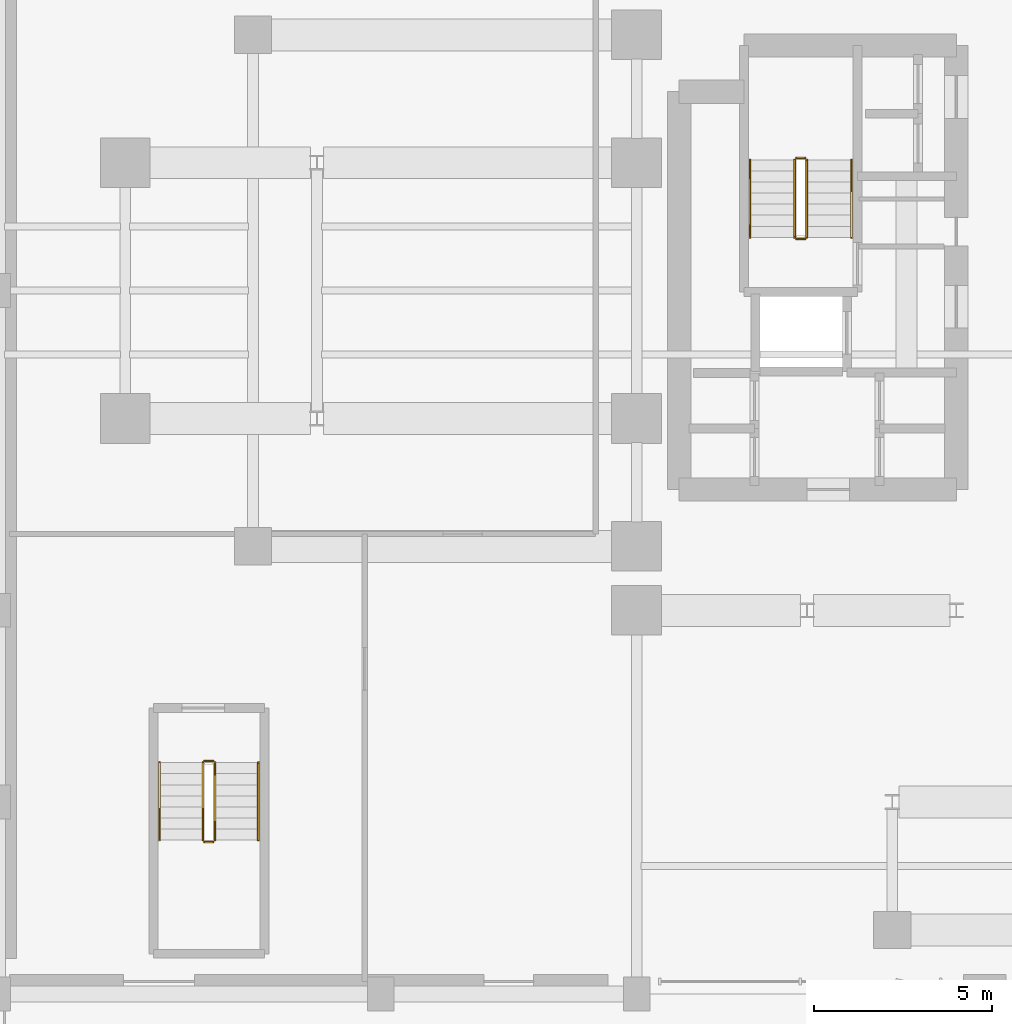
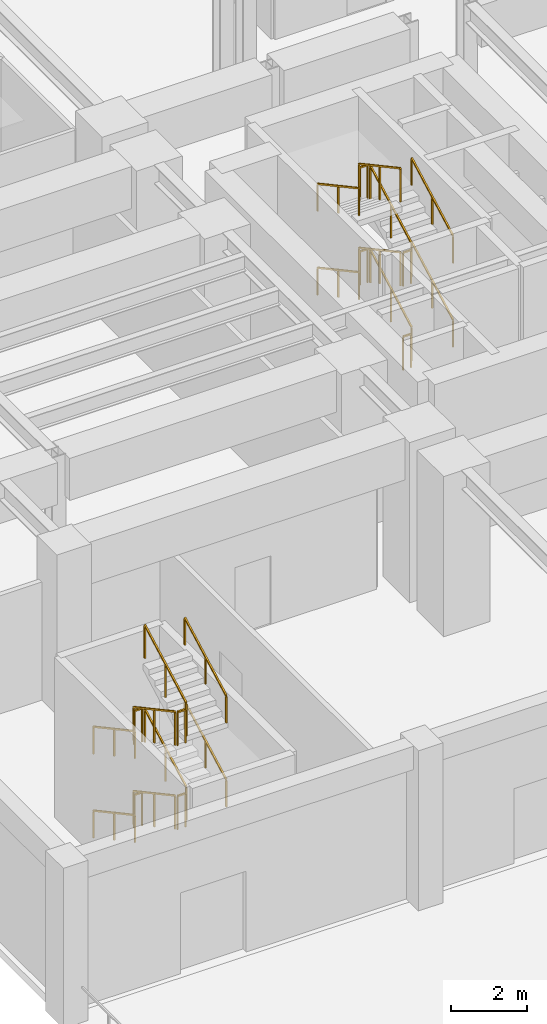
# One storey, part 14 of 17: 24 railings.
"""IFC4 building model written with IfcOpenShell, lengths in metres."""

import ifcopenshell
import ifcopenshell.guid

model = None  # the IFC model being written
_history = None  # IfcOwnerHistory: only IFC2X3 demands one
_inside = {}  # id of a spatial element -> (the spatial element, [elements in it])
_under = {}  # id of a project, library or spatial element -> (it, [spatial elements below it])
_declared = {}  # id of a project -> (the project, [libraries it declares])
_typed = {}  # id of a type object -> (the type object, [elements of that type])
_made_of = {}  # id of a material, layer set ... -> (it, [elements and type objects made of it])


def new_model(schema):
    """Start an empty IFC model of exactly this schema.

    Asked for "IFC4X3", IfcOpenShell would pick the latest addendum, in which some entities
    have other attributes; the version numbers below select the first issue.
    IFC2X3 requires an IfcOwnerHistory on every rooted entity: one is made here for all.
    """
    global model, _history
    if schema == "IFC4X3":
        model = ifcopenshell.file(schema_version=(4, 3, 0, 0))
    else:
        model = ifcopenshell.file(schema=schema)
    _inside.clear()
    _under.clear()
    _declared.clear()
    _typed.clear()
    _made_of.clear()
    _history = None
    if model.schema == "IFC2X3":
        org = make("IfcOrganization", Name="unknown")
        user = make(
            "IfcPersonAndOrganization",
            ThePerson=make("IfcPerson", FamilyName="unknown"),
            TheOrganization=org,
        )
        app = make(
            "IfcApplication",
            ApplicationDeveloper=org,
            Version="unknown",
            ApplicationFullName="unknown",
            ApplicationIdentifier="unknown",
        )
        _history = make(
            "IfcOwnerHistory",
            OwningUser=user,
            OwningApplication=app,
            ChangeAction="ADDED",
            CreationDate=0,
        )
    return model


def make(cls, **values):
    """One entity of the class cls with the attributes given. An attribute that is None is left unset."""
    return model.create_entity(
        cls, **{name: value for name, value in values.items() if value is not None}
    )


def rooted(cls, **values):
    """An entity with a GlobalId (a new one), such as an element, a storey or a relation."""
    return make(cls, GlobalId=ifcopenshell.guid.new(), OwnerHistory=_history, **values)


def si_unit(unit_type, name, prefix=None):
    """IfcSIUnit, for example si_unit("LENGTHUNIT", "METRE", prefix="MILLI")."""
    return make("IfcSIUnit", UnitType=unit_type, Prefix=prefix, Name=name)


def assignment(units):
    """IfcUnitAssignment: the units of a project."""
    return None if units is None else make("IfcUnitAssignment", Units=units)


def point(xyz):
    """IfcCartesianPoint."""
    return None if xyz is None else make("IfcCartesianPoint", Coordinates=xyz)


def direction(xyz):
    """IfcDirection."""
    return None if xyz is None else make("IfcDirection", DirectionRatios=xyz)


def frame(location, z_axis=None, x_axis=None):
    """IfcAxis2Placement3D, a coordinate frame: its origin and axes. An axis left out is left unset."""
    return make(
        "IfcAxis2Placement3D",
        Location=point(location),
        Axis=direction(z_axis),
        RefDirection=direction(x_axis),
    )


def frame_2d(location, x_axis=None):
    """IfcAxis2Placement2D, a coordinate frame in the plane: its origin and x axis."""
    return make(
        "IfcAxis2Placement2D", Location=point(location), RefDirection=direction(x_axis)
    )


def origin():
    """The frame at (0, 0, 0) with its axes left unset."""
    return frame((0.0, 0.0, 0.0))


def origin_2d():
    """The frame at (0, 0) in the plane with its x axis left unset."""
    return frame_2d((0.0, 0.0))


def place(relative_to, where):
    """IfcLocalPlacement: puts the frame where relative to a parent placement (None: the world)."""
    return make(
        "IfcLocalPlacement", PlacementRelTo=relative_to, RelativePlacement=where
    )


def context(
    kind, dimensions, precision=None, world=None, true_north=None, identifier=None
):
    """IfcGeometricRepresentationContext, for example the 3D "Model" context."""
    return make(
        "IfcGeometricRepresentationContext",
        ContextIdentifier=identifier,
        ContextType=kind,
        CoordinateSpaceDimension=dimensions,
        Precision=precision,
        WorldCoordinateSystem=world,
        TrueNorth=true_north,
    )


def subcontext(parent, identifier, kind, view, scale=None):
    """IfcGeometricRepresentationSubContext, for example "Body" below "Model"."""
    return make(
        "IfcGeometricRepresentationSubContext",
        ContextIdentifier=identifier,
        ContextType=kind,
        ParentContext=parent,
        TargetScale=scale,
        TargetView=view,
    )


def project(units=None, contexts=None):
    """IfcProject with its units and contexts."""
    return rooted(
        "IfcProject",
        Name="project",
        RepresentationContexts=contexts,
        UnitsInContext=assignment(units),
    )


def spatial(cls, under=None, at=None, **own):
    """A site, building, storey or space (cls), placed at a placement, below another one or the project."""
    s = rooted(cls, ObjectPlacement=at, **own)
    if under is not None:
        _under.setdefault(under.id(), (under, []))[1].append(s)
    return s


def profile(cls, at=None, kind="AREA", **sizes):
    """A parametric profile (cls). Its sizes go by their IFC names, for example OverallWidth=200.0."""
    return make(cls, ProfileType=kind, Position=at, **sizes)


def rectangle(**sizes):
    """IfcRectangleProfileDef."""
    return profile("IfcRectangleProfileDef", **sizes)


def extrude(swept, where, along, depth):
    """IfcExtrudedAreaSolid: the profile swept, set in the frame where, extruded along a direction by depth."""
    return make(
        "IfcExtrudedAreaSolid",
        SweptArea=swept,
        Position=where,
        ExtrudedDirection=direction(along),
        Depth=depth,
    )


def shape(context_of_items, identifier, shape_type, items):
    """IfcShapeRepresentation: the items that make up one representation, for example the "Body"."""
    return make(
        "IfcShapeRepresentation",
        ContextOfItems=context_of_items,
        RepresentationIdentifier=identifier,
        RepresentationType=shape_type,
        Items=items,
    )


def material(Name=None, Category=None):
    """IfcMaterial."""
    return make("IfcMaterial", Name=Name, Category=Category)


def made_of(thing, what):
    """Note that an element or type object is made of a material, layer set ...; save() writes the relation."""
    if what is not None:
        _made_of.setdefault(what.id(), (what, []))[1].append(thing)
    return thing


def type_object(cls, material=None, **own):
    """A type object (cls), such as IfcWallType, which elements share."""
    return made_of(rooted(cls, **own), material)


def element(
    cls,
    number,
    at=None,
    inside=None,
    cuts=None,
    type_object=None,
    material=None,
    context=None,
    identifier="Body",
    shape_type=None,
    held_by="IfcProductDefinitionShape",
    body=None,
    shapes=None,
    **own,
):
    """One element of the class cls, such as IfcWall. Its Tag is "e" and its number.

    at: its placement. inside: the storey or other place that contains it. cuts: it is an
    opening in that element (IfcRelVoidsElement). A single representation is given by context,
    identifier, shape_type and body (its items); several are given by shapes. held_by: the class
    of the entity that holds the representations. save() writes the other relations.
    """
    e = rooted(cls, Tag="e%d" % number, ObjectPlacement=at, **own)
    if body is not None:
        shapes = [shape(context, identifier, shape_type, body)]
    if shapes is not None:
        e.Representation = make(held_by, Representations=shapes)
    if inside is not None:
        _inside.setdefault(inside.id(), (inside, []))[1].append(e)
    if cuts is not None:
        rooted(
            "IfcRelVoidsElement", RelatingBuildingElement=cuts, RelatedOpeningElement=e
        )
    if type_object is not None:
        _typed.setdefault(type_object.id(), (type_object, []))[1].append(e)
    return made_of(e, material)


def aggregate(whole, parts):
    """IfcRelAggregates: a whole, such as a stair, and the parts it consists of."""
    return rooted("IfcRelAggregates", RelatingObject=whole, RelatedObjects=parts)


def save(model, path):
    """Write the relations noted so far, then the file.

    IfcRelAggregates (storeys below a building ...), IfcRelContainedInSpatialStructure (elements
    in a storey), IfcRelDefinesByType, IfcRelAssociatesMaterial and IfcRelDeclares: one each for
    every whole, place, type object, material and project.
    """
    for whole, parts in _under.values():
        aggregate(whole, parts)
    for where, things in _inside.values():
        rooted(
            "IfcRelContainedInSpatialStructure",
            RelatedElements=things,
            RelatingStructure=where,
        )
    for kind, things in _typed.values():
        rooted("IfcRelDefinesByType", RelatedObjects=things, RelatingType=kind)
    for what, things in _made_of.values():
        rooted("IfcRelAssociatesMaterial", RelatedObjects=things, RelatingMaterial=what)
    for by, libraries in _declared.values():
        rooted("IfcRelDeclares", RelatingContext=by, RelatedDefinitions=libraries)
    model.write(path)


model = new_model("IFC4")

# Units and contexts
model_context = context("Model", 3, precision=1e-05, world=origin(), true_north=direction((0.0, 1.0)))
body_context = subcontext(model_context, "Body", "Model", "MODEL_VIEW")
ifc_project = project(units=[si_unit("LENGTHUNIT", "METRE"), si_unit("AREAUNIT", "SQUARE_METRE"), si_unit("VOLUMEUNIT", "CUBIC_METRE"), si_unit("PLANEANGLEUNIT", "RADIAN"), si_unit("MASSUNIT", "GRAM", prefix="KILO")], contexts=[model_context])

# Site, building, storey
site_placement = place(None, origin())
site = spatial("IfcSite", under=ifc_project, at=site_placement, CompositionType="ELEMENT")
building_placement = place(site_placement, origin())
building = spatial("IfcBuilding", under=site, at=building_placement, Name="Keilestroom Media Tower", CompositionType="ELEMENT")
storey_placement = place(building_placement, origin())
storey = spatial("IfcBuildingStorey", under=building, at=storey_placement, Name="L00", CompositionType="ELEMENT", Elevation=0.0)

# Railings
ifc_material_1 = material(Name="Brushed Stainless Steel 1.4301", Category="steel")
railing_type_1 = type_object("IfcRailingType", Name="Stair-Pitch-Handrail-920", PredefinedType="HANDRAIL", material=ifc_material_1)
railing_1_placement = place(storey_placement, frame((-8.35009765625, 1.5, 0.168701171875)))
element("IfcRailing", 1, at=railing_1_placement, inside=storey, type_object=railing_type_1, Name="L00 ST-1 stair handrail 1", PredefinedType="HANDRAIL", context=body_context, shape_type="SweptSolid", body=[
    extrude(rectangle(XDim=0.048095703125, YDim=0.048095703125, at=origin_2d()), frame((0.0, 0.0, 0.8759765625), z_axis=(0.0, 0.879569751981, 0.475769956387), x_axis=(-1.0, 0.0, 0.0)), (0.0, 0.0, 1.0), 2.483154296875),
    extrude(rectangle(XDim=0.0419921875, YDim=0.0419921875, at=origin_2d()), origin(), (0.0, 0.0, 1.0), 0.84375),
    extrude(rectangle(XDim=0.0419921875, YDim=0.0419921875, at=origin_2d()), frame((0.0, 1.092041015625, 0.5908203125)), (0.0, 0.0, 1.0), 0.84375),
    extrude(rectangle(XDim=0.0419921875, YDim=0.0419921875, at=origin_2d()), frame((0.0, 2.18408203125, 1.181396484375)), (0.0, 0.0, 1.0), 0.84375),
])
railing_2_placement = place(storey_placement, frame((-11.2099609375, 3.68408203125, 1.518798828125)))
element("IfcRailing", 2, at=railing_2_placement, inside=storey, type_object=railing_type_1, Name="L00 ST-1 stair handrail 2", PredefinedType="HANDRAIL", context=body_context, shape_type="SweptSolid", body=[
    extrude(rectangle(XDim=0.048095703125, YDim=0.048095703125, at=origin_2d()), frame((0.0, 0.0, 0.8759765625), z_axis=(0.0, -0.879610894823, 0.475693886559), x_axis=(1.0, 0.0, 0.0)), (0.0, 0.0, 1.0), 2.48291015625),
    extrude(rectangle(XDim=0.0419921875, YDim=0.0419921875, at=origin_2d()), origin(), (0.0, 0.0, 1.0), 0.84375),
    extrude(rectangle(XDim=0.0419921875, YDim=0.0419921875, at=origin_2d()), frame((0.0, -1.092041015625, 0.590576171875)), (0.0, 0.0, 1.0), 0.84375),
    extrude(rectangle(XDim=0.0419921875, YDim=0.0419921875, at=origin_2d()), frame((0.0, -2.18408203125, 1.18115234375)), (0.0, 0.0, 1.0), 0.84375),
])
railing_3_placement = place(storey_placement, frame((-8.35009765625, 1.5, 2.86865234375)))
element("IfcRailing", 3, at=railing_3_placement, inside=storey, type_object=railing_type_1, Name="L00 ST-1 stair handrail 3", PredefinedType="HANDRAIL", context=body_context, shape_type="SweptSolid", body=[
    extrude(rectangle(XDim=0.048095703125, YDim=0.048095703125, at=origin_2d()), frame((0.0, 0.0, 0.8759765625), z_axis=(0.0, 0.879569751981, 0.475769956387), x_axis=(-1.0, 0.0, 0.0)), (0.0, 0.0, 1.0), 2.483154296875),
    extrude(rectangle(XDim=0.0419921875, YDim=0.0419921875, at=origin_2d()), origin(), (0.0, 0.0, 1.0), 0.84375),
    extrude(rectangle(XDim=0.0419921875, YDim=0.0419921875, at=origin_2d()), frame((0.0, 1.092041015625, 0.5908203125)), (0.0, 0.0, 1.0), 0.84375),
    extrude(rectangle(XDim=0.0419921875, YDim=0.0419921875, at=origin_2d()), frame((0.0, 2.18408203125, 1.181396484375)), (0.0, 0.0, 1.0), 0.84375),
])
railing_4_placement = place(storey_placement, frame((-11.2099609375, 3.68408203125, 4.21875)))
element("IfcRailing", 4, at=railing_4_placement, inside=storey, type_object=railing_type_1, Name="L00 ST-1 stair handrail 4", PredefinedType="HANDRAIL", context=body_context, shape_type="SweptSolid", body=[
    extrude(rectangle(XDim=0.048095703125, YDim=0.048095703125, at=origin_2d()), frame((0.0, 0.0, 0.8759765625), z_axis=(0.0, -0.879610894823, 0.475693886559), x_axis=(1.0, 0.0, 0.0)), (0.0, 0.0, 1.0), 2.48291015625),
    extrude(rectangle(XDim=0.0419921875, YDim=0.0419921875, at=origin_2d()), origin(), (0.0, 0.0, 1.0), 0.84375),
    extrude(rectangle(XDim=0.0419921875, YDim=0.0419921875, at=origin_2d()), frame((0.0, -1.092041015625, 0.590576171875)), (0.0, 0.0, 1.0), 0.84375),
    extrude(rectangle(XDim=0.0419921875, YDim=0.0419921875, at=origin_2d()), frame((0.0, -2.18408203125, 1.18115234375)), (0.0, 0.0, 1.0), 0.84375),
])
railing_5_placement = place(storey_placement, frame((-27.830078125, -13.2900390625, 0.168701171875)))
element("IfcRailing", 5, at=railing_5_placement, inside=storey, type_object=railing_type_1, Name="L00 ST-3 stair handrail 1", PredefinedType="HANDRAIL", context=body_context, shape_type="SweptSolid", body=[
    extrude(rectangle(XDim=0.048095703125, YDim=0.048095703125, at=origin_2d()), frame((0.0, 0.0, 0.8759765625), z_axis=(0.0, -0.879569751981, 0.475769956387), x_axis=(1.0, 0.0, 0.0)), (0.0, 0.0, 1.0), 2.483154296875),
    extrude(rectangle(XDim=0.0419921875, YDim=0.0419921875, at=origin_2d()), origin(), (0.0, 0.0, 1.0), 0.84375),
    extrude(rectangle(XDim=0.0419921875, YDim=0.0419921875, at=origin_2d()), frame((0.0, -1.092041015625, 0.5908203125)), (0.0, 0.0, 1.0), 0.84375),
    extrude(rectangle(XDim=0.0419921875, YDim=0.0419921875, at=origin_2d()), frame((0.0, -2.18408203125, 1.181396484375)), (0.0, 0.0, 1.0), 0.84375),
])
railing_6_placement = place(storey_placement, frame((-25.050048828125, -15.47412109375, 1.518798828125)))
element("IfcRailing", 6, at=railing_6_placement, inside=storey, type_object=railing_type_1, Name="L00 ST-3 stair handrail 2", PredefinedType="HANDRAIL", context=body_context, shape_type="SweptSolid", body=[
    extrude(rectangle(XDim=0.048095703125, YDim=0.048095703125, at=origin_2d()), frame((0.0, 0.0, 0.8759765625), z_axis=(0.0, 0.879610894823, 0.475693886559), x_axis=(-1.0, 0.0, 0.0)), (0.0, 0.0, 1.0), 2.48291015625),
    extrude(rectangle(XDim=0.0419921875, YDim=0.0419921875, at=origin_2d()), origin(), (0.0, 0.0, 1.0), 0.84375),
    extrude(rectangle(XDim=0.0419921875, YDim=0.0419921875, at=origin_2d()), frame((0.0, 1.092041015625, 0.590576171875)), (0.0, 0.0, 1.0), 0.84375),
    extrude(rectangle(XDim=0.0419921875, YDim=0.0419921875, at=origin_2d()), frame((0.0, 2.18408203125, 1.18115234375)), (0.0, 0.0, 1.0), 0.84375),
])
railing_7_placement = place(storey_placement, frame((-27.830078125, -13.2900390625, 2.86865234375)))
element("IfcRailing", 7, at=railing_7_placement, inside=storey, type_object=railing_type_1, Name="L00 ST-3 stair handrail 3", PredefinedType="HANDRAIL", context=body_context, shape_type="SweptSolid", body=[
    extrude(rectangle(XDim=0.048095703125, YDim=0.048095703125, at=origin_2d()), frame((0.0, 0.0, 0.8759765625), z_axis=(0.0, -0.879569751981, 0.475769956387), x_axis=(1.0, 0.0, 0.0)), (0.0, 0.0, 1.0), 2.483154296875),
    extrude(rectangle(XDim=0.0419921875, YDim=0.0419921875, at=origin_2d()), origin(), (0.0, 0.0, 1.0), 0.84375),
    extrude(rectangle(XDim=0.0419921875, YDim=0.0419921875, at=origin_2d()), frame((0.0, -1.092041015625, 0.5908203125)), (0.0, 0.0, 1.0), 0.84375),
    extrude(rectangle(XDim=0.0419921875, YDim=0.0419921875, at=origin_2d()), frame((0.0, -2.18408203125, 1.181396484375)), (0.0, 0.0, 1.0), 0.84375),
])
railing_8_placement = place(storey_placement, frame((-25.050048828125, -15.47412109375, 4.21875)))
element("IfcRailing", 8, at=railing_8_placement, inside=storey, type_object=railing_type_1, Name="L00 ST-3 stair handrail 4", PredefinedType="HANDRAIL", context=body_context, shape_type="SweptSolid", body=[
    extrude(rectangle(XDim=0.048095703125, YDim=0.048095703125, at=origin_2d()), frame((0.0, 0.0, 0.8759765625), z_axis=(0.0, 0.879610894823, 0.475693886559), x_axis=(-1.0, 0.0, 0.0)), (0.0, 0.0, 1.0), 2.48291015625),
    extrude(rectangle(XDim=0.0419921875, YDim=0.0419921875, at=origin_2d()), origin(), (0.0, 0.0, 1.0), 0.84375),
    extrude(rectangle(XDim=0.0419921875, YDim=0.0419921875, at=origin_2d()), frame((0.0, 1.092041015625, 0.590576171875)), (0.0, 0.0, 1.0), 0.84375),
    extrude(rectangle(XDim=0.0419921875, YDim=0.0419921875, at=origin_2d()), frame((0.0, 2.18408203125, 1.18115234375)), (0.0, 0.0, 1.0), 0.84375),
])
ifc_material_2 = material(Name="Painted Steel Balustrade", Category="steel")
railing_type_2 = type_object("IfcRailingType", Name="Stair-Well-And-Landing-Guard-1100", PredefinedType="GUARDRAIL", material=ifc_material_2)
railing_9_placement = place(storey_placement, frame((-9.610107421875, 1.5, 0.168701171875)))
element("IfcRailing", 9, at=railing_9_placement, inside=storey, type_object=railing_type_2, Name="L00 ST-1 stair guard 1", PredefinedType="GUARDRAIL", context=body_context, shape_type="SweptSolid", body=[
    extrude(rectangle(XDim=0.048095703125, YDim=0.048095703125, at=origin_2d()), frame((0.0, 0.0, 1.076171875), z_axis=(0.0, 0.879569751981, 0.475769956387), x_axis=(-1.0, 0.0, 0.0)), (0.0, 0.0, 1.0), 2.483154296875),
    extrude(rectangle(XDim=0.0419921875, YDim=0.0419921875, at=origin_2d()), origin(), (0.0, 0.0, 1.0), 1.0439453125),
    extrude(rectangle(XDim=0.0419921875, YDim=0.0419921875, at=origin_2d()), frame((0.0, 1.092041015625, 0.5908203125)), (0.0, 0.0, 1.0), 1.0439453125),
    extrude(rectangle(XDim=0.0419921875, YDim=0.0419921875, at=origin_2d()), frame((0.0, 2.18408203125, 1.181396484375)), (0.0, 0.0, 1.0), 1.0439453125),
])
railing_10_placement = place(storey_placement, frame((-9.659912109375, 3.73388671875, 1.35009765625)))
element("IfcRailing", 10, at=railing_10_placement, inside=storey, type_object=railing_type_2, Name="L00 ST-1 stair guard 2", PredefinedType="GUARDRAIL", context=body_context, shape_type="SweptSolid", body=[
    extrude(rectangle(XDim=0.048095703125, YDim=0.048095703125, at=origin_2d()), frame((0.0, 0.0, 1.076171875), z_axis=(-1.0, 0.0, 0.0), x_axis=(0.0, -1.0, 0.0)), (0.0, 0.0, 1.0), 0.239990234375),
    extrude(rectangle(XDim=0.0419921875, YDim=0.0419921875, at=origin_2d()), origin(), (0.0, 0.0, 1.0), 1.0439453125),
    extrude(rectangle(XDim=0.0419921875, YDim=0.0419921875, at=origin_2d()), frame((-0.239990234375, 0.0, 0.0)), (0.0, 0.0, 1.0), 1.0439453125),
])
railing_11_placement = place(storey_placement, frame((-9.949951171875, 3.68408203125, 1.518798828125)))
element("IfcRailing", 11, at=railing_11_placement, inside=storey, type_object=railing_type_2, Name="L00 ST-1 stair guard 3", PredefinedType="GUARDRAIL", context=body_context, shape_type="SweptSolid", body=[
    extrude(rectangle(XDim=0.048095703125, YDim=0.048095703125, at=origin_2d()), frame((0.0, 0.0, 1.076171875), z_axis=(0.0, -0.879610894823, 0.475693886559), x_axis=(1.0, 0.0, 0.0)), (0.0, 0.0, 1.0), 2.48291015625),
    extrude(rectangle(XDim=0.0419921875, YDim=0.0419921875, at=origin_2d()), origin(), (0.0, 0.0, 1.0), 1.0439453125),
    extrude(rectangle(XDim=0.0419921875, YDim=0.0419921875, at=origin_2d()), frame((0.0, -1.092041015625, 0.590576171875)), (0.0, 0.0, 1.0), 1.0439453125),
    extrude(rectangle(XDim=0.0419921875, YDim=0.0419921875, at=origin_2d()), frame((0.0, -2.18408203125, 1.18115234375)), (0.0, 0.0, 1.0), 1.0439453125),
])
railing_12_placement = place(storey_placement, frame((-9.659912109375, 1.449951171875, 2.699951171875)))
element("IfcRailing", 12, at=railing_12_placement, inside=storey, type_object=railing_type_2, Name="L00 ST-1 stair guard 4", PredefinedType="GUARDRAIL", context=body_context, shape_type="SweptSolid", body=[
    extrude(rectangle(XDim=0.048095703125, YDim=0.048095703125, at=origin_2d()), frame((0.0, 0.0, 1.076171875), z_axis=(-1.0, 0.0, 0.0), x_axis=(0.0, -1.0, 0.0)), (0.0, 0.0, 1.0), 0.239990234375),
    extrude(rectangle(XDim=0.0419921875, YDim=0.0419921875, at=origin_2d()), origin(), (0.0, 0.0, 1.0), 1.0439453125),
    extrude(rectangle(XDim=0.0419921875, YDim=0.0419921875, at=origin_2d()), frame((-0.239990234375, 0.0, 0.0)), (0.0, 0.0, 1.0), 1.0439453125),
])
railing_13_placement = place(storey_placement, frame((-9.610107421875, 1.5, 2.86865234375)))
element("IfcRailing", 13, at=railing_13_placement, inside=storey, type_object=railing_type_2, Name="L00 ST-1 stair guard 5", PredefinedType="GUARDRAIL", context=body_context, shape_type="SweptSolid", body=[
    extrude(rectangle(XDim=0.048095703125, YDim=0.048095703125, at=origin_2d()), frame((0.0, 0.0, 1.076171875), z_axis=(0.0, 0.879569751981, 0.475769956387), x_axis=(-1.0, 0.0, 0.0)), (0.0, 0.0, 1.0), 2.483154296875),
    extrude(rectangle(XDim=0.0419921875, YDim=0.0419921875, at=origin_2d()), origin(), (0.0, 0.0, 1.0), 1.0439453125),
    extrude(rectangle(XDim=0.0419921875, YDim=0.0419921875, at=origin_2d()), frame((0.0, 1.092041015625, 0.5908203125)), (0.0, 0.0, 1.0), 1.0439453125),
    extrude(rectangle(XDim=0.0419921875, YDim=0.0419921875, at=origin_2d()), frame((0.0, 2.18408203125, 1.181396484375)), (0.0, 0.0, 1.0), 1.0439453125),
])
railing_14_placement = place(storey_placement, frame((-9.659912109375, 3.73388671875, 4.050048828125)))
element("IfcRailing", 14, at=railing_14_placement, inside=storey, type_object=railing_type_2, Name="L00 ST-1 stair guard 6", PredefinedType="GUARDRAIL", context=body_context, shape_type="SweptSolid", body=[
    extrude(rectangle(XDim=0.048095703125, YDim=0.048095703125, at=origin_2d()), frame((0.0, 0.0, 1.076171875), z_axis=(-1.0, 0.0, 0.0), x_axis=(0.0, -1.0, 0.0)), (0.0, 0.0, 1.0), 0.239990234375),
    extrude(rectangle(XDim=0.0419921875, YDim=0.0419921875, at=origin_2d()), origin(), (0.0, 0.0, 1.0), 1.0439453125),
    extrude(rectangle(XDim=0.0419921875, YDim=0.0419921875, at=origin_2d()), frame((-0.239990234375, 0.0, 0.0)), (0.0, 0.0, 1.0), 1.0439453125),
])
railing_15_placement = place(storey_placement, frame((-9.949951171875, 3.68408203125, 4.21875)))
element("IfcRailing", 15, at=railing_15_placement, inside=storey, type_object=railing_type_2, Name="L00 ST-1 stair guard 7", PredefinedType="GUARDRAIL", context=body_context, shape_type="SweptSolid", body=[
    extrude(rectangle(XDim=0.048095703125, YDim=0.048095703125, at=origin_2d()), frame((0.0, 0.0, 1.076171875), z_axis=(0.0, -0.879610894823, 0.475693886559), x_axis=(1.0, 0.0, 0.0)), (0.0, 0.0, 1.0), 2.48291015625),
    extrude(rectangle(XDim=0.0419921875, YDim=0.0419921875, at=origin_2d()), origin(), (0.0, 0.0, 1.0), 1.0439453125),
    extrude(rectangle(XDim=0.0419921875, YDim=0.0419921875, at=origin_2d()), frame((0.0, -1.092041015625, 0.590576171875)), (0.0, 0.0, 1.0), 1.0439453125),
    extrude(rectangle(XDim=0.0419921875, YDim=0.0419921875, at=origin_2d()), frame((0.0, -2.18408203125, 1.18115234375)), (0.0, 0.0, 1.0), 1.0439453125),
])
railing_16_placement = place(storey_placement, frame((-9.659912109375, 1.449951171875, 0.0)))
element("IfcRailing", 16, at=railing_16_placement, inside=storey, type_object=railing_type_2, Name="L00 ST-1 stair guard 8", PredefinedType="GUARDRAIL", context=body_context, shape_type="SweptSolid", body=[
    extrude(rectangle(XDim=0.048095703125, YDim=0.048095703125, at=origin_2d()), frame((0.0, 0.0, 1.076171875), z_axis=(-1.0, 0.0, 0.0), x_axis=(0.0, -1.0, 0.0)), (0.0, 0.0, 1.0), 0.239990234375),
    extrude(rectangle(XDim=0.0419921875, YDim=0.0419921875, at=origin_2d()), origin(), (0.0, 0.0, 1.0), 1.0439453125),
    extrude(rectangle(XDim=0.0419921875, YDim=0.0419921875, at=origin_2d()), frame((-0.239990234375, 0.0, 0.0)), (0.0, 0.0, 1.0), 1.0439453125),
])
railing_17_placement = place(storey_placement, frame((-26.610107421875, -13.2900390625, 0.168701171875)))
element("IfcRailing", 17, at=railing_17_placement, inside=storey, type_object=railing_type_2, Name="L00 ST-3 stair guard 1", PredefinedType="GUARDRAIL", context=body_context, shape_type="SweptSolid", body=[
    extrude(rectangle(XDim=0.048095703125, YDim=0.048095703125, at=origin_2d()), frame((0.0, 0.0, 1.076171875), z_axis=(0.0, -0.879569751981, 0.475769956387), x_axis=(1.0, 0.0, 0.0)), (0.0, 0.0, 1.0), 2.483154296875),
    extrude(rectangle(XDim=0.0419921875, YDim=0.0419921875, at=origin_2d()), origin(), (0.0, 0.0, 1.0), 1.0439453125),
    extrude(rectangle(XDim=0.0419921875, YDim=0.0419921875, at=origin_2d()), frame((0.0, -1.092041015625, 0.5908203125)), (0.0, 0.0, 1.0), 1.0439453125),
    extrude(rectangle(XDim=0.0419921875, YDim=0.0419921875, at=origin_2d()), frame((0.0, -2.18408203125, 1.181396484375)), (0.0, 0.0, 1.0), 1.0439453125),
])
railing_18_placement = place(storey_placement, frame((-26.56005859375, -15.52392578125, 1.35009765625)))
element("IfcRailing", 18, at=railing_18_placement, inside=storey, type_object=railing_type_2, Name="L00 ST-3 stair guard 2", PredefinedType="GUARDRAIL", context=body_context, shape_type="SweptSolid", body=[
    extrude(rectangle(XDim=0.048095703125, YDim=0.048095703125, at=origin_2d()), frame((0.0, 0.0, 1.076171875), z_axis=(1.0, 0.0, 0.0), x_axis=(0.0, 1.0, 0.0)), (0.0, 0.0, 1.0), 0.239990234375),
    extrude(rectangle(XDim=0.0419921875, YDim=0.0419921875, at=origin_2d()), origin(), (0.0, 0.0, 1.0), 1.0439453125),
    extrude(rectangle(XDim=0.0419921875, YDim=0.0419921875, at=origin_2d()), frame((0.239990234375, 0.0, 0.0)), (0.0, 0.0, 1.0), 1.0439453125),
])
railing_19_placement = place(storey_placement, frame((-26.27001953125, -15.47412109375, 1.518798828125)))
element("IfcRailing", 19, at=railing_19_placement, inside=storey, type_object=railing_type_2, Name="L00 ST-3 stair guard 3", PredefinedType="GUARDRAIL", context=body_context, shape_type="SweptSolid", body=[
    extrude(rectangle(XDim=0.048095703125, YDim=0.048095703125, at=origin_2d()), frame((0.0, 0.0, 1.076171875), z_axis=(0.0, 0.879610894823, 0.475693886559), x_axis=(-1.0, 0.0, 0.0)), (0.0, 0.0, 1.0), 2.48291015625),
    extrude(rectangle(XDim=0.0419921875, YDim=0.0419921875, at=origin_2d()), origin(), (0.0, 0.0, 1.0), 1.0439453125),
    extrude(rectangle(XDim=0.0419921875, YDim=0.0419921875, at=origin_2d()), frame((0.0, 1.092041015625, 0.590576171875)), (0.0, 0.0, 1.0), 1.0439453125),
    extrude(rectangle(XDim=0.0419921875, YDim=0.0419921875, at=origin_2d()), frame((0.0, 2.18408203125, 1.18115234375)), (0.0, 0.0, 1.0), 1.0439453125),
])
railing_20_placement = place(storey_placement, frame((-26.56005859375, -13.239990234375, 2.699951171875)))
element("IfcRailing", 20, at=railing_20_placement, inside=storey, type_object=railing_type_2, Name="L00 ST-3 stair guard 4", PredefinedType="GUARDRAIL", context=body_context, shape_type="SweptSolid", body=[
    extrude(rectangle(XDim=0.048095703125, YDim=0.048095703125, at=origin_2d()), frame((0.0, 0.0, 1.076171875), z_axis=(1.0, 0.0, 0.0), x_axis=(0.0, 1.0, 0.0)), (0.0, 0.0, 1.0), 0.239990234375),
    extrude(rectangle(XDim=0.0419921875, YDim=0.0419921875, at=origin_2d()), origin(), (0.0, 0.0, 1.0), 1.0439453125),
    extrude(rectangle(XDim=0.0419921875, YDim=0.0419921875, at=origin_2d()), frame((0.239990234375, 0.0, 0.0)), (0.0, 0.0, 1.0), 1.0439453125),
])
railing_21_placement = place(storey_placement, frame((-26.610107421875, -13.2900390625, 2.86865234375)))
element("IfcRailing", 21, at=railing_21_placement, inside=storey, type_object=railing_type_2, Name="L00 ST-3 stair guard 5", PredefinedType="GUARDRAIL", context=body_context, shape_type="SweptSolid", body=[
    extrude(rectangle(XDim=0.048095703125, YDim=0.048095703125, at=origin_2d()), frame((0.0, 0.0, 1.076171875), z_axis=(0.0, -0.879569751981, 0.475769956387), x_axis=(1.0, 0.0, 0.0)), (0.0, 0.0, 1.0), 2.483154296875),
    extrude(rectangle(XDim=0.0419921875, YDim=0.0419921875, at=origin_2d()), origin(), (0.0, 0.0, 1.0), 1.0439453125),
    extrude(rectangle(XDim=0.0419921875, YDim=0.0419921875, at=origin_2d()), frame((0.0, -1.092041015625, 0.5908203125)), (0.0, 0.0, 1.0), 1.0439453125),
    extrude(rectangle(XDim=0.0419921875, YDim=0.0419921875, at=origin_2d()), frame((0.0, -2.18408203125, 1.181396484375)), (0.0, 0.0, 1.0), 1.0439453125),
])
railing_22_placement = place(storey_placement, frame((-26.56005859375, -15.52392578125, 4.050048828125)))
element("IfcRailing", 22, at=railing_22_placement, inside=storey, type_object=railing_type_2, Name="L00 ST-3 stair guard 6", PredefinedType="GUARDRAIL", context=body_context, shape_type="SweptSolid", body=[
    extrude(rectangle(XDim=0.048095703125, YDim=0.048095703125, at=origin_2d()), frame((0.0, 0.0, 1.076171875), z_axis=(1.0, 0.0, 0.0), x_axis=(0.0, 1.0, 0.0)), (0.0, 0.0, 1.0), 0.239990234375),
    extrude(rectangle(XDim=0.0419921875, YDim=0.0419921875, at=origin_2d()), origin(), (0.0, 0.0, 1.0), 1.0439453125),
    extrude(rectangle(XDim=0.0419921875, YDim=0.0419921875, at=origin_2d()), frame((0.239990234375, 0.0, 0.0)), (0.0, 0.0, 1.0), 1.0439453125),
])
railing_23_placement = place(storey_placement, frame((-26.27001953125, -15.47412109375, 4.21875)))
element("IfcRailing", 23, at=railing_23_placement, inside=storey, type_object=railing_type_2, Name="L00 ST-3 stair guard 7", PredefinedType="GUARDRAIL", context=body_context, shape_type="SweptSolid", body=[
    extrude(rectangle(XDim=0.048095703125, YDim=0.048095703125, at=origin_2d()), frame((0.0, 0.0, 1.076171875), z_axis=(0.0, 0.879610894823, 0.475693886559), x_axis=(-1.0, 0.0, 0.0)), (0.0, 0.0, 1.0), 2.48291015625),
    extrude(rectangle(XDim=0.0419921875, YDim=0.0419921875, at=origin_2d()), origin(), (0.0, 0.0, 1.0), 1.0439453125),
    extrude(rectangle(XDim=0.0419921875, YDim=0.0419921875, at=origin_2d()), frame((0.0, 1.092041015625, 0.590576171875)), (0.0, 0.0, 1.0), 1.0439453125),
    extrude(rectangle(XDim=0.0419921875, YDim=0.0419921875, at=origin_2d()), frame((0.0, 2.18408203125, 1.18115234375)), (0.0, 0.0, 1.0), 1.0439453125),
])
railing_24_placement = place(storey_placement, frame((-26.56005859375, -13.239990234375, 0.0)))
element("IfcRailing", 24, at=railing_24_placement, inside=storey, type_object=railing_type_2, Name="L00 ST-3 stair guard 8", PredefinedType="GUARDRAIL", context=body_context, shape_type="SweptSolid", body=[
    extrude(rectangle(XDim=0.048095703125, YDim=0.048095703125, at=origin_2d()), frame((0.0, 0.0, 1.076171875), z_axis=(1.0, 0.0, 0.0), x_axis=(0.0, 1.0, 0.0)), (0.0, 0.0, 1.0), 0.239990234375),
    extrude(rectangle(XDim=0.0419921875, YDim=0.0419921875, at=origin_2d()), origin(), (0.0, 0.0, 1.0), 1.0439453125),
    extrude(rectangle(XDim=0.0419921875, YDim=0.0419921875, at=origin_2d()), frame((0.239990234375, 0.0, 0.0)), (0.0, 0.0, 1.0), 1.0439453125),
])

save(model, "model.ifc")
